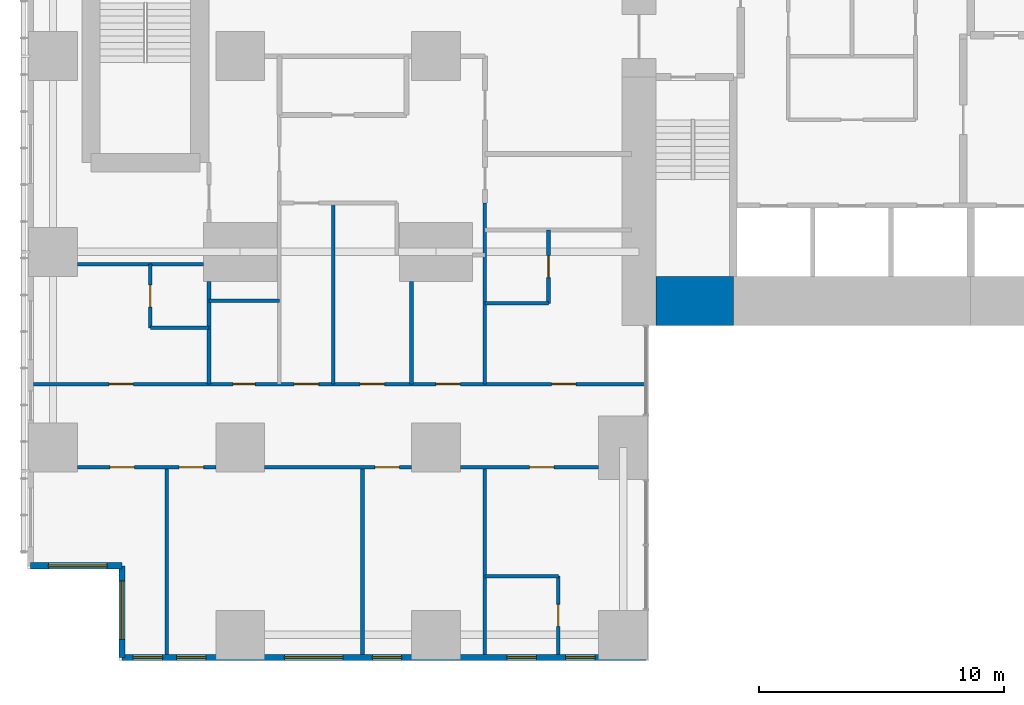
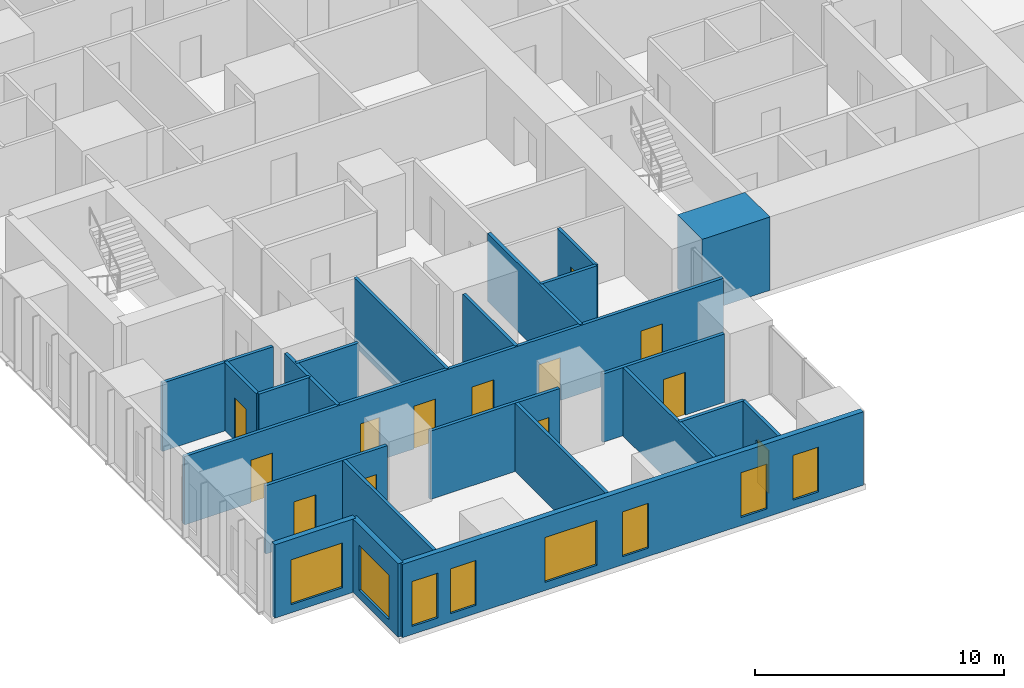
# One storey, part 12 of 20: 23 walls, 13 doors, 8 windows, 21 openings.
"""IFC4 building model written with IfcOpenShell, lengths in metres."""

from ifc_helpers import new_model, si_unit, direction, frame, frame_2d, origin, place, context, subcontext, project, spatial, rectangle, extrude, material, layer, layer_set, type_object, element, fill, save


model = new_model("IFC4")

# Units and contexts
model_context = context("Model", 3, precision=1e-05, world=origin(), true_north=direction((0.0, 1.0)))
body_context = subcontext(model_context, "Body", "Model", "MODEL_VIEW")
ifc_project = project(units=[si_unit("LENGTHUNIT", "METRE"), si_unit("AREAUNIT", "SQUARE_METRE"), si_unit("VOLUMEUNIT", "CUBIC_METRE"), si_unit("PLANEANGLEUNIT", "RADIAN"), si_unit("MASSUNIT", "GRAM", prefix="KILO")], contexts=[model_context])

# Site, building, storey
site_placement = place(None, origin())
site = spatial("IfcSite", under=ifc_project, at=site_placement, CompositionType="ELEMENT")
building_placement = place(site_placement, origin())
building = spatial("IfcBuilding", under=site, at=building_placement, Name="Cleftline Residences", CompositionType="ELEMENT")
storey_placement = place(building_placement, frame((0.0, 0.0, 164.60009765625)))
storey = spatial("IfcBuildingStorey", under=building, at=storey_placement, Name="L43", CompositionType="ELEMENT", Elevation=164.60009765625)

# Wall
ifc_material_1 = material(Name="Concrete B70", Category="concrete")
ifc_layer_1 = layer(ifc_material_1, 2.0)
ifc_layer_set_1 = layer_set([ifc_layer_1], Name="CORE WALL 2000")
wall_type_1 = type_object("IfcWallType", Name="CORE WALL 2000", PredefinedType="SHEAR", material=ifc_layer_set_1)
wall_1_placement = place(storey_placement, frame((25.0, 14.0, 0.0), z_axis=(0.0, 0.0, 1.0), x_axis=(1.0, 0.0, 0.0)))
element("IfcWall", 1, at=wall_1_placement, inside=storey, type_object=wall_type_1, Name="Core wall S1", PredefinedType="SHEAR", context=body_context, shape_type="SweptSolid", body=[
    extrude(rectangle(XDim=3.14990234375, YDim=2.0, at=frame_2d((1.574951171875, 0.0))), origin(), (0.0, 0.0, 1.0), 3.599853515625),
])

# Wall, opening, window
ifc_material_2 = material(Name="Rendered reinforced concrete blockwork", Category="masonry")
ifc_layer_2 = layer(ifc_material_2, 0.25)
ifc_layer_set_2 = layer_set([ifc_layer_2], Name="EXTERNAL WALL 250")
wall_type_2 = type_object("IfcWallType", Name="EXTERNAL WALL 250", PredefinedType="SOLIDWALL", material=ifc_layer_set_2)
wall_2_placement = place(storey_placement, frame((-0.574951171875, 3.175048828125, 0.0), z_axis=(0.0, 0.0, 1.0), x_axis=(1.0, 0.0, 0.0)))
wall_2 = element("IfcWall", 2, at=wall_2_placement, inside=storey, type_object=wall_type_2, Name="External wall", PredefinedType="SOLIDWALL", context=body_context, shape_type="SweptSolid", body=[
    extrude(rectangle(XDim=3.75, YDim=0.25, at=frame_2d((1.875, 0.0))), origin(), (0.0, 0.0, 1.0), 3.599853515625),
])
opening_1_placement = place(wall_2_placement, frame((0.737548828125, 0.0, 0.39990234375)))
opening_1 = element("IfcOpeningElement", 3, at=opening_1_placement, cuts=wall_2, Name="Opening W12", PredefinedType="OPENING", context=body_context, shape_type="SweptSolid", body=[
    extrude(rectangle(XDim=2.39990234375, YDim=2.199951171875, at=frame_2d((1.199951171875, 1.10009765625))), frame((0.0, 0.135009765625, 0.0), z_axis=(0.0, -1.0, 0.0), x_axis=(1.0, 0.0, 0.0)), (0.0, 0.0, 1.0), 0.27001953125),
])
ifc_material_3 = material(Name="Aluminium frame, clear double glazing", Category="aluminium")
window_type_1 = type_object("IfcWindowType", Name="WINDOW 2400X2200", PartitioningType="DOUBLE_PANEL_VERTICAL", PredefinedType="WINDOW", material=ifc_material_3)
window_1_placement = place(opening_1_placement, origin())
window_1 = element("IfcWindow", 4, at=window_1_placement, inside=storey, type_object=window_type_1, Name="Window", OverallHeight=2.199951171875, OverallWidth=2.39990234375, PartitioningType="SINGLE_PANEL", PredefinedType="WINDOW", context=body_context, shape_type="SweptSolid", body=[
    extrude(rectangle(XDim=2.39990234375, YDim=2.199951171875, at=frame_2d((1.199951171875, 1.10009765625))), frame((0.0, 0.030029296875, 0.0), z_axis=(0.0, -1.0, 0.0), x_axis=(1.0, 0.0, 0.0)), (0.0, 0.0, 1.0), 0.06005859375),
])
fill(opening_1, window_1)

wall_3_placement = place(storey_placement, frame((3.175048828125, 3.175048828125, 0.0), z_axis=(0.0, 0.0, 1.0), x_axis=(0.0, -1.0, 0.0)))
wall_3 = element("IfcWall", 5, at=wall_3_placement, inside=storey, type_object=wall_type_2, Name="External wall", PredefinedType="SOLIDWALL", context=body_context, shape_type="SweptSolid", body=[
    extrude(rectangle(XDim=3.75, YDim=0.25, at=frame_2d((1.875, 0.0))), origin(), (0.0, 0.0, 1.0), 3.599853515625),
])
opening_2_placement = place(wall_3_placement, frame((0.612548828125, 0.0, 0.39990234375)))
opening_2 = element("IfcOpeningElement", 6, at=opening_2_placement, cuts=wall_3, Name="Opening W12", PredefinedType="OPENING", context=body_context, shape_type="SweptSolid", body=[
    extrude(rectangle(XDim=2.39990234375, YDim=2.199951171875, at=frame_2d((1.199951171875, 1.10009765625))), frame((0.0, 0.135009765625, 0.0), z_axis=(0.0, -1.0, 0.0), x_axis=(1.0, 0.0, 0.0)), (0.0, 0.0, 1.0), 0.27001953125),
])
window_2_placement = place(opening_2_placement, origin())
window_2 = element("IfcWindow", 7, at=window_2_placement, inside=storey, type_object=window_type_1, Name="Window", OverallHeight=2.199951171875, OverallWidth=2.39990234375, PartitioningType="SINGLE_PANEL", PredefinedType="WINDOW", context=body_context, shape_type="SweptSolid", body=[
    extrude(rectangle(XDim=2.39990234375, YDim=2.199951171875, at=frame_2d((1.199951171875, 1.10009765625))), frame((0.0, 0.030029296875, 0.0), z_axis=(0.0, -1.0, 0.0), x_axis=(1.0, 0.0, 0.0)), (0.0, 0.0, 1.0), 0.06005859375),
])
fill(opening_2, window_2)

# Wall, openings, windows
wall_4_placement = place(storey_placement, frame((3.175048828125, -0.574951171875, 0.0), z_axis=(0.0, 0.0, 1.0), x_axis=(1.0, 0.0, 0.0)))
wall_4 = element("IfcWall", 8, at=wall_4_placement, inside=storey, type_object=wall_type_2, Name="External wall", PredefinedType="SOLIDWALL", context=body_context, shape_type="SweptSolid", body=[
    extrude(rectangle(XDim=21.39990234375, YDim=0.25, at=frame_2d((10.699951171875, 0.0))), origin(), (0.0, 0.0, 1.0), 3.599853515625),
])
opening_3_placement = place(wall_4_placement, frame((0.449951171875, 0.0, 0.39990234375)))
opening_3 = element("IfcOpeningElement", 9, at=opening_3_placement, cuts=wall_4, Name="Opening W11", PredefinedType="OPENING", context=body_context, shape_type="SweptSolid", body=[
    extrude(rectangle(XDim=1.199951171875, YDim=2.199951171875, at=frame_2d((0.60009765625, 1.10009765625))), frame((0.0, 0.135009765625, 0.0), z_axis=(0.0, -1.0, 0.0), x_axis=(1.0, 0.0, 0.0)), (0.0, 0.0, 1.0), 0.27001953125),
])
opening_4_placement = place(wall_4_placement, frame((2.22509765625, 0.0, 0.39990234375)))
opening_4 = element("IfcOpeningElement", 10, at=opening_4_placement, cuts=wall_4, Name="Opening W11", PredefinedType="OPENING", context=body_context, shape_type="SweptSolid", body=[
    extrude(rectangle(XDim=1.199951171875, YDim=2.199951171875, at=frame_2d((0.60009765625, 1.10009765625))), frame((0.0, 0.135009765625, 0.0), z_axis=(0.0, -1.0, 0.0), x_axis=(1.0, 0.0, 0.0)), (0.0, 0.0, 1.0), 0.27001953125),
])
opening_5_placement = place(wall_4_placement, frame((6.625, 0.0, 0.39990234375)))
opening_5 = element("IfcOpeningElement", 11, at=opening_5_placement, cuts=wall_4, Name="Opening W12", PredefinedType="OPENING", context=body_context, shape_type="SweptSolid", body=[
    extrude(rectangle(XDim=2.39990234375, YDim=2.199951171875, at=frame_2d((1.199951171875, 1.10009765625))), frame((0.0, 0.135009765625, 0.0), z_axis=(0.0, -1.0, 0.0), x_axis=(1.0, 0.0, 0.0)), (0.0, 0.0, 1.0), 0.27001953125),
])
opening_6_placement = place(wall_4_placement, frame((10.22509765625, 0.0, 0.39990234375)))
opening_6 = element("IfcOpeningElement", 12, at=opening_6_placement, cuts=wall_4, Name="Opening W11", PredefinedType="OPENING", context=body_context, shape_type="SweptSolid", body=[
    extrude(rectangle(XDim=1.199951171875, YDim=2.199951171875, at=frame_2d((0.60009765625, 1.10009765625))), frame((0.0, 0.135009765625, 0.0), z_axis=(0.0, -1.0, 0.0), x_axis=(1.0, 0.0, 0.0)), (0.0, 0.0, 1.0), 0.27001953125),
])
opening_7_placement = place(wall_4_placement, frame((15.72509765625, 0.0, 0.39990234375)))
opening_7 = element("IfcOpeningElement", 13, at=opening_7_placement, cuts=wall_4, Name="Opening W11", PredefinedType="OPENING", context=body_context, shape_type="SweptSolid", body=[
    extrude(rectangle(XDim=1.199951171875, YDim=2.199951171875, at=frame_2d((0.60009765625, 1.10009765625))), frame((0.0, 0.135009765625, 0.0), z_axis=(0.0, -1.0, 0.0), x_axis=(1.0, 0.0, 0.0)), (0.0, 0.0, 1.0), 0.27001953125),
])
opening_8_placement = place(wall_4_placement, frame((18.125, 0.0, 0.39990234375)))
opening_8 = element("IfcOpeningElement", 14, at=opening_8_placement, cuts=wall_4, Name="Opening W11", PredefinedType="OPENING", context=body_context, shape_type="SweptSolid", body=[
    extrude(rectangle(XDim=1.199951171875, YDim=2.199951171875, at=frame_2d((0.60009765625, 1.10009765625))), frame((0.0, 0.135009765625, 0.0), z_axis=(0.0, -1.0, 0.0), x_axis=(1.0, 0.0, 0.0)), (0.0, 0.0, 1.0), 0.27001953125),
])
ifc_material_4 = material(Name="Aluminium frame, clear double glazing", Category="aluminium")
window_type_2 = type_object("IfcWindowType", Name="WINDOW 1200X2200", PartitioningType="DOUBLE_PANEL_VERTICAL", PredefinedType="WINDOW", material=ifc_material_4)
window_3_placement = place(opening_3_placement, origin())
window_3 = element("IfcWindow", 15, at=window_3_placement, inside=storey, type_object=window_type_2, Name="Window", OverallHeight=2.199951171875, OverallWidth=1.199951171875, PartitioningType="SINGLE_PANEL", PredefinedType="WINDOW", context=body_context, shape_type="SweptSolid", body=[
    extrude(rectangle(XDim=1.199951171875, YDim=2.199951171875, at=frame_2d((0.60009765625, 1.10009765625))), frame((0.0, 0.030029296875, 0.0), z_axis=(0.0, -1.0, 0.0), x_axis=(1.0, 0.0, 0.0)), (0.0, 0.0, 1.0), 0.06005859375),
])
fill(opening_3, window_3)
window_4_placement = place(opening_4_placement, origin())
window_4 = element("IfcWindow", 16, at=window_4_placement, inside=storey, type_object=window_type_2, Name="Window", OverallHeight=2.199951171875, OverallWidth=1.199951171875, PartitioningType="SINGLE_PANEL", PredefinedType="WINDOW", context=body_context, shape_type="SweptSolid", body=[
    extrude(rectangle(XDim=1.199951171875, YDim=2.199951171875, at=frame_2d((0.60009765625, 1.10009765625))), frame((0.0, 0.030029296875, 0.0), z_axis=(0.0, -1.0, 0.0), x_axis=(1.0, 0.0, 0.0)), (0.0, 0.0, 1.0), 0.06005859375),
])
fill(opening_4, window_4)
window_5_placement = place(opening_6_placement, origin())
window_5 = element("IfcWindow", 17, at=window_5_placement, inside=storey, type_object=window_type_2, Name="Window", OverallHeight=2.199951171875, OverallWidth=1.199951171875, PartitioningType="SINGLE_PANEL", PredefinedType="WINDOW", context=body_context, shape_type="SweptSolid", body=[
    extrude(rectangle(XDim=1.199951171875, YDim=2.199951171875, at=frame_2d((0.60009765625, 1.10009765625))), frame((0.0, 0.030029296875, 0.0), z_axis=(0.0, -1.0, 0.0), x_axis=(1.0, 0.0, 0.0)), (0.0, 0.0, 1.0), 0.06005859375),
])
fill(opening_6, window_5)
window_6_placement = place(opening_7_placement, origin())
window_6 = element("IfcWindow", 18, at=window_6_placement, inside=storey, type_object=window_type_2, Name="Window", OverallHeight=2.199951171875, OverallWidth=1.199951171875, PartitioningType="SINGLE_PANEL", PredefinedType="WINDOW", context=body_context, shape_type="SweptSolid", body=[
    extrude(rectangle(XDim=1.199951171875, YDim=2.199951171875, at=frame_2d((0.60009765625, 1.10009765625))), frame((0.0, 0.030029296875, 0.0), z_axis=(0.0, -1.0, 0.0), x_axis=(1.0, 0.0, 0.0)), (0.0, 0.0, 1.0), 0.06005859375),
])
fill(opening_7, window_6)
window_7_placement = place(opening_8_placement, origin())
window_7 = element("IfcWindow", 19, at=window_7_placement, inside=storey, type_object=window_type_2, Name="Window", OverallHeight=2.199951171875, OverallWidth=1.199951171875, PartitioningType="SINGLE_PANEL", PredefinedType="WINDOW", context=body_context, shape_type="SweptSolid", body=[
    extrude(rectangle(XDim=1.199951171875, YDim=2.199951171875, at=frame_2d((0.60009765625, 1.10009765625))), frame((0.0, 0.030029296875, 0.0), z_axis=(0.0, -1.0, 0.0), x_axis=(1.0, 0.0, 0.0)), (0.0, 0.0, 1.0), 0.06005859375),
])
fill(opening_8, window_7)
window_8_placement = place(opening_5_placement, origin())
window_8 = element("IfcWindow", 20, at=window_8_placement, inside=storey, type_object=window_type_1, Name="Window", OverallHeight=2.199951171875, OverallWidth=2.39990234375, PartitioningType="SINGLE_PANEL", PredefinedType="WINDOW", context=body_context, shape_type="SweptSolid", body=[
    extrude(rectangle(XDim=2.39990234375, YDim=2.199951171875, at=frame_2d((1.199951171875, 1.10009765625))), frame((0.0, 0.030029296875, 0.0), z_axis=(0.0, -1.0, 0.0), x_axis=(1.0, 0.0, 0.0)), (0.0, 0.0, 1.0), 0.06005859375),
])
fill(opening_5, window_8)

# Wall
ifc_material_5 = material(Name="Gypsum board on steel studs", Category="steel")
ifc_layer_3 = layer(ifc_material_5, 0.14990234375)
ifc_layer_set_3 = layer_set([ifc_layer_3], Name="PARTITION 150")
wall_type_3 = type_object("IfcWallType", Name="PARTITION 150", PredefinedType="PARTITIONING", material=ifc_layer_set_3)
wall_5_placement = place(storey_placement, frame((18.0, 2.75, 0.0), z_axis=(0.0, 0.0, 1.0), x_axis=(1.0, 0.0, 0.0)))
element("IfcWall", 21, at=wall_5_placement, inside=storey, type_object=wall_type_3, Name="Partition", PredefinedType="PARTITIONING", context=body_context, shape_type="SweptSolid", body=[
    extrude(rectangle(XDim=3.0, YDim=0.14990234375, at=frame_2d((1.5, 0.0))), origin(), (0.0, 0.0, 1.0), 3.349853515625),
])

# Wall, openings, doors
wall_6_placement = place(storey_placement, frame((1.35009765625, 7.199951171875, 0.0), z_axis=(0.0, 0.0, 1.0), x_axis=(1.0, 0.0, 0.0)))
wall_6 = element("IfcWall", 22, at=wall_6_placement, inside=storey, type_object=wall_type_3, Name="Partition", PredefinedType="PARTITIONING", context=body_context, shape_type="SweptSolid", body=[
    extrude(rectangle(XDim=5.64990234375, YDim=0.14990234375, at=frame_2d((2.824951171875, 0.0))), origin(), (0.0, 0.0, 1.0), 3.349853515625),
])
opening_9_placement = place(wall_6_placement, frame((1.324951171875, 0.0, 0.0)))
opening_9 = element("IfcOpeningElement", 23, at=opening_9_placement, cuts=wall_6, Name="Opening D2", PredefinedType="OPENING", context=body_context, shape_type="SweptSolid", body=[
    extrude(rectangle(XDim=1.0, YDim=2.10009765625, at=frame_2d((0.5, 1.050048828125))), frame((0.0, 0.0849609375, 0.0), z_axis=(0.0, -1.0, 0.0), x_axis=(1.0, 0.0, 0.0)), (0.0, 0.0, 1.0), 0.169921875),
])
opening_10_placement = place(wall_6_placement, frame((4.14990234375, 0.0, 0.0)))
opening_10 = element("IfcOpeningElement", 24, at=opening_10_placement, cuts=wall_6, Name="Opening D2", PredefinedType="OPENING", context=body_context, shape_type="SweptSolid", body=[
    extrude(rectangle(XDim=1.0, YDim=2.10009765625, at=frame_2d((0.5, 1.050048828125))), frame((0.0, 0.0849609375, 0.0), z_axis=(0.0, -1.0, 0.0), x_axis=(1.0, 0.0, 0.0)), (0.0, 0.0, 1.0), 0.169921875),
])
ifc_material_6 = material(Name="Timber veneer on solid core", Category="wood")
door_type_1 = type_object("IfcDoorType", Name="DOOR 1000X2100", OperationType="SINGLE_SWING_LEFT", PredefinedType="DOOR", material=ifc_material_6)
door_1_placement = place(opening_9_placement, origin())
door_1 = element("IfcDoor", 25, at=door_1_placement, inside=storey, type_object=door_type_1, Name="Door to winter garden", OperationType="SINGLE_SWING_RIGHT", OverallHeight=2.10009765625, OverallWidth=1.0, PredefinedType="DOOR", context=body_context, shape_type="SweptSolid", body=[
    extrude(rectangle(XDim=1.0, YDim=2.10009765625, at=frame_2d((0.5, 1.050048828125))), frame((0.0, 0.02490234375, 0.0), z_axis=(0.0, -1.0, 0.0), x_axis=(1.0, 0.0, 0.0)), (0.0, 0.0, 1.0), 0.050048828125),
])
fill(opening_9, door_1)
door_2_placement = place(opening_10_placement, origin())
door_2 = element("IfcDoor", 26, at=door_2_placement, inside=storey, type_object=door_type_1, Name="Door to living and dining room", OperationType="SINGLE_SWING_LEFT", OverallHeight=2.10009765625, OverallWidth=1.0, PredefinedType="DOOR", context=body_context, shape_type="SweptSolid", body=[
    extrude(rectangle(XDim=1.0, YDim=2.10009765625, at=frame_2d((0.5, 1.050048828125))), frame((0.0, 0.02490234375, 0.0), z_axis=(0.0, -1.0, 0.0), x_axis=(1.0, 0.0, 0.0)), (0.0, 0.0, 1.0), 0.050048828125),
])
fill(opening_10, door_2)

# Wall, opening, door
wall_7_placement = place(storey_placement, frame((9.0, 7.199951171875, 0.0), z_axis=(0.0, 0.0, 1.0), x_axis=(1.0, 0.0, 0.0)))
wall_7 = element("IfcWall", 27, at=wall_7_placement, inside=storey, type_object=wall_type_3, Name="Partition", PredefinedType="PARTITIONING", context=body_context, shape_type="SweptSolid", body=[
    extrude(rectangle(XDim=6.0, YDim=0.14990234375, at=frame_2d((3.0, 0.0))), origin(), (0.0, 0.0, 1.0), 3.349853515625),
])
opening_11_placement = place(wall_7_placement, frame((4.5, 0.0, 0.0)))
opening_11 = element("IfcOpeningElement", 28, at=opening_11_placement, cuts=wall_7, Name="Opening D2", PredefinedType="OPENING", context=body_context, shape_type="SweptSolid", body=[
    extrude(rectangle(XDim=1.0, YDim=2.10009765625, at=frame_2d((0.5, 1.050048828125))), frame((0.0, 0.0849609375, 0.0), z_axis=(0.0, -1.0, 0.0), x_axis=(1.0, 0.0, 0.0)), (0.0, 0.0, 1.0), 0.169921875),
])
door_3_placement = place(opening_11_placement, origin())
door_3 = element("IfcDoor", 29, at=door_3_placement, inside=storey, type_object=door_type_1, Name="Door to show kitchen", OperationType="SINGLE_SWING_LEFT", OverallHeight=2.10009765625, OverallWidth=1.0, PredefinedType="DOOR", context=body_context, shape_type="SweptSolid", body=[
    extrude(rectangle(XDim=1.0, YDim=2.10009765625, at=frame_2d((0.5, 1.050048828125))), frame((0.0, 0.02490234375, 0.0), z_axis=(0.0, -1.0, 0.0), x_axis=(1.0, 0.0, 0.0)), (0.0, 0.0, 1.0), 0.050048828125),
])
fill(opening_11, door_3)

wall_8_placement = place(storey_placement, frame((17.0, 7.199951171875, 0.0), z_axis=(0.0, 0.0, 1.0), x_axis=(1.0, 0.0, 0.0)))
wall_8 = element("IfcWall", 30, at=wall_8_placement, inside=storey, type_object=wall_type_3, Name="Partition", PredefinedType="PARTITIONING", context=body_context, shape_type="SweptSolid", body=[
    extrude(rectangle(XDim=5.64990234375, YDim=0.14990234375, at=frame_2d((2.824951171875, 0.0))), origin(), (0.0, 0.0, 1.0), 3.349853515625),
])
opening_12_placement = place(wall_8_placement, frame((2.824951171875, 0.0, 0.0)))
opening_12 = element("IfcOpeningElement", 31, at=opening_12_placement, cuts=wall_8, Name="Opening D2", PredefinedType="OPENING", context=body_context, shape_type="SweptSolid", body=[
    extrude(rectangle(XDim=1.0, YDim=2.10009765625, at=frame_2d((0.5, 1.050048828125))), frame((0.0, 0.0849609375, 0.0), z_axis=(0.0, -1.0, 0.0), x_axis=(1.0, 0.0, 0.0)), (0.0, 0.0, 1.0), 0.169921875),
])
door_4_placement = place(opening_12_placement, origin())
door_4 = element("IfcDoor", 32, at=door_4_placement, inside=storey, type_object=door_type_1, Name="Door to master bedroom", OperationType="SINGLE_SWING_LEFT", OverallHeight=2.10009765625, OverallWidth=1.0, PredefinedType="DOOR", context=body_context, shape_type="SweptSolid", body=[
    extrude(rectangle(XDim=1.0, YDim=2.10009765625, at=frame_2d((0.5, 1.050048828125))), frame((0.0, 0.02490234375, 0.0), z_axis=(0.0, -1.0, 0.0), x_axis=(1.0, 0.0, 0.0)), (0.0, 0.0, 1.0), 0.050048828125),
])
fill(opening_12, door_4)

# Wall, openings, doors
wall_9_placement = place(storey_placement, frame((-0.449951171875, 10.60009765625, 0.0), z_axis=(0.0, 0.0, 1.0), x_axis=(1.0, 0.0, 0.0)))
wall_9 = element("IfcWall", 33, at=wall_9_placement, inside=storey, type_object=wall_type_3, Name="Partition", PredefinedType="PARTITIONING", context=body_context, shape_type="SweptSolid", body=[
    extrude(rectangle(XDim=25.010986328125, YDim=0.14990234375, at=frame_2d((12.50537109375, 0.0))), origin(), (0.0, 0.0, 1.0), 3.349853515625),
])
opening_13_placement = place(wall_9_placement, frame((10.64990234375, 0.0, 0.0)))
opening_13 = element("IfcOpeningElement", 34, at=opening_13_placement, cuts=wall_9, Name="Opening D2", PredefinedType="OPENING", context=body_context, shape_type="SweptSolid", body=[
    extrude(rectangle(XDim=1.0, YDim=2.10009765625, at=frame_2d((0.5, 1.050048828125))), frame((0.0, 0.0849609375, 0.0), z_axis=(0.0, -1.0, 0.0), x_axis=(1.0, 0.0, 0.0)), (0.0, 0.0, 1.0), 0.169921875),
])
opening_14_placement = place(wall_9_placement, frame((3.08740234375, 0.0, 0.0)))
opening_14 = element("IfcOpeningElement", 35, at=opening_14_placement, cuts=wall_9, Name="Opening D2", PredefinedType="OPENING", context=body_context, shape_type="SweptSolid", body=[
    extrude(rectangle(XDim=1.0, YDim=2.10009765625, at=frame_2d((0.5, 1.050048828125))), frame((0.0, 0.0849609375, 0.0), z_axis=(0.0, -1.0, 0.0), x_axis=(1.0, 0.0, 0.0)), (0.0, 0.0, 1.0), 0.169921875),
])
opening_15_placement = place(wall_9_placement, frame((8.16259765625, 0.0, 0.0)))
opening_15 = element("IfcOpeningElement", 36, at=opening_15_placement, cuts=wall_9, Name="Opening D1", PredefinedType="OPENING", context=body_context, shape_type="SweptSolid", body=[
    extrude(rectangle(XDim=0.89990234375, YDim=2.10009765625, at=frame_2d((0.449951171875, 1.050048828125))), frame((0.0, 0.0849609375, 0.0), z_axis=(0.0, -1.0, 0.0), x_axis=(1.0, 0.0, 0.0)), (0.0, 0.0, 1.0), 0.169921875),
])
opening_16_placement = place(wall_9_placement, frame((13.35009765625, 0.0, 0.0)))
opening_16 = element("IfcOpeningElement", 37, at=opening_16_placement, cuts=wall_9, Name="Opening D2", PredefinedType="OPENING", context=body_context, shape_type="SweptSolid", body=[
    extrude(rectangle(XDim=1.0, YDim=2.10009765625, at=frame_2d((0.5, 1.050048828125))), frame((0.0, 0.0849609375, 0.0), z_axis=(0.0, -1.0, 0.0), x_axis=(1.0, 0.0, 0.0)), (0.0, 0.0, 1.0), 0.169921875),
])
opening_17_placement = place(wall_9_placement, frame((16.449951171875, 0.0, 0.0)))
opening_17 = element("IfcOpeningElement", 38, at=opening_17_placement, cuts=wall_9, Name="Opening D2", PredefinedType="OPENING", context=body_context, shape_type="SweptSolid", body=[
    extrude(rectangle(XDim=1.0, YDim=2.10009765625, at=frame_2d((0.5, 1.050048828125))), frame((0.0, 0.0849609375, 0.0), z_axis=(0.0, -1.0, 0.0), x_axis=(1.0, 0.0, 0.0)), (0.0, 0.0, 1.0), 0.169921875),
])
opening_18_placement = place(wall_9_placement, frame((21.175048828125, 0.0, 0.0)))
opening_18 = element("IfcOpeningElement", 39, at=opening_18_placement, cuts=wall_9, Name="Opening D2", PredefinedType="OPENING", context=body_context, shape_type="SweptSolid", body=[
    extrude(rectangle(XDim=1.0, YDim=2.10009765625, at=frame_2d((0.5, 1.050048828125))), frame((0.0, 0.0849609375, 0.0), z_axis=(0.0, -1.0, 0.0), x_axis=(1.0, 0.0, 0.0)), (0.0, 0.0, 1.0), 0.169921875),
])
door_5_placement = place(opening_13_placement, origin())
door_5 = element("IfcDoor", 40, at=door_5_placement, inside=storey, type_object=door_type_1, Name="Door to residence hall", OperationType="SINGLE_SWING_RIGHT", OverallHeight=2.10009765625, OverallWidth=1.0, PredefinedType="DOOR", context=body_context, shape_type="SweptSolid", body=[
    extrude(rectangle(XDim=1.0, YDim=2.10009765625, at=frame_2d((0.5, 1.050048828125))), frame((0.0, 0.02490234375, 0.0), z_axis=(0.0, -1.0, 0.0), x_axis=(1.0, 0.0, 0.0)), (0.0, 0.0, 1.0), 0.050048828125),
])
fill(opening_13, door_5)
door_6_placement = place(opening_14_placement, origin())
door_6 = element("IfcDoor", 41, at=door_6_placement, inside=storey, type_object=door_type_1, Name="Door to bedroom 2", OperationType="SINGLE_SWING_RIGHT", OverallHeight=2.10009765625, OverallWidth=1.0, PredefinedType="DOOR", context=body_context, shape_type="SweptSolid", body=[
    extrude(rectangle(XDim=1.0, YDim=2.10009765625, at=frame_2d((0.5, 1.050048828125))), frame((0.0, 0.02490234375, 0.0), z_axis=(0.0, -1.0, 0.0), x_axis=(1.0, 0.0, 0.0)), (0.0, 0.0, 1.0), 0.050048828125),
])
fill(opening_14, door_6)
door_7_placement = place(opening_16_placement, origin())
door_7 = element("IfcDoor", 42, at=door_7_placement, inside=storey, type_object=door_type_1, Name="Door to family room", OperationType="SINGLE_SWING_LEFT", OverallHeight=2.10009765625, OverallWidth=1.0, PredefinedType="DOOR", context=body_context, shape_type="SweptSolid", body=[
    extrude(rectangle(XDim=1.0, YDim=2.10009765625, at=frame_2d((0.5, 1.050048828125))), frame((0.0, 0.02490234375, 0.0), z_axis=(0.0, -1.0, 0.0), x_axis=(1.0, 0.0, 0.0)), (0.0, 0.0, 1.0), 0.050048828125),
])
fill(opening_16, door_7)
door_8_placement = place(opening_17_placement, origin())
door_8 = element("IfcDoor", 43, at=door_8_placement, inside=storey, type_object=door_type_1, Name="Door to wet kitchen", OperationType="SINGLE_SWING_LEFT", OverallHeight=2.10009765625, OverallWidth=1.0, PredefinedType="DOOR", context=body_context, shape_type="SweptSolid", body=[
    extrude(rectangle(XDim=1.0, YDim=2.10009765625, at=frame_2d((0.5, 1.050048828125))), frame((0.0, 0.02490234375, 0.0), z_axis=(0.0, -1.0, 0.0), x_axis=(1.0, 0.0, 0.0)), (0.0, 0.0, 1.0), 0.050048828125),
])
fill(opening_17, door_8)
door_9_placement = place(opening_18_placement, origin())
door_9 = element("IfcDoor", 44, at=door_9_placement, inside=storey, type_object=door_type_1, Name="Door to bedroom 3", OperationType="SINGLE_SWING_LEFT", OverallHeight=2.10009765625, OverallWidth=1.0, PredefinedType="DOOR", context=body_context, shape_type="SweptSolid", body=[
    extrude(rectangle(XDim=1.0, YDim=2.10009765625, at=frame_2d((0.5, 1.050048828125))), frame((0.0, 0.02490234375, 0.0), z_axis=(0.0, -1.0, 0.0), x_axis=(1.0, 0.0, 0.0)), (0.0, 0.0, 1.0), 0.050048828125),
])
fill(opening_18, door_9)
ifc_material_7 = material(Name="Timber veneer on solid core", Category="wood")
door_type_2 = type_object("IfcDoorType", Name="DOOR 900X2100", OperationType="SINGLE_SWING_LEFT", PredefinedType="DOOR", material=ifc_material_7)
door_10_placement = place(opening_15_placement, origin())
door_10 = element("IfcDoor", 45, at=door_10_placement, inside=storey, type_object=door_type_2, Name="Door to linen store", OperationType="SINGLE_SWING_RIGHT", OverallHeight=2.10009765625, OverallWidth=0.89990234375, PredefinedType="DOOR", context=body_context, shape_type="SweptSolid", body=[
    extrude(rectangle(XDim=0.89990234375, YDim=2.10009765625, at=frame_2d((0.449951171875, 1.050048828125))), frame((0.0, 0.02490234375, 0.0), z_axis=(0.0, -1.0, 0.0), x_axis=(1.0, 0.0, 0.0)), (0.0, 0.0, 1.0), 0.050048828125),
])
fill(opening_15, door_10)

# Walls
wall_10_placement = place(storey_placement, frame((4.324951171875, 12.89990234375, 0.0), z_axis=(0.0, 0.0, 1.0), x_axis=(1.0, 0.0, 0.0)))
element("IfcWall", 46, at=wall_10_placement, inside=storey, type_object=wall_type_3, Name="Partition", PredefinedType="PARTITIONING", context=body_context, shape_type="SweptSolid", body=[
    extrude(rectangle(XDim=2.400146484375, YDim=0.14990234375, at=frame_2d((1.2001953125, 0.0))), origin(), (0.0, 0.0, 1.0), 3.349853515625),
])
wall_11_placement = place(storey_placement, frame((18.0, 13.89990234375, 0.0), z_axis=(0.0, 0.0, 1.0), x_axis=(1.0, 0.0, 0.0)))
element("IfcWall", 47, at=wall_11_placement, inside=storey, type_object=wall_type_3, Name="Partition", PredefinedType="PARTITIONING", context=body_context, shape_type="SweptSolid", body=[
    extrude(rectangle(XDim=2.60009765625, YDim=0.14990234375, at=frame_2d((1.300048828125, 0.0))), origin(), (0.0, 0.0, 1.0), 3.349853515625),
])
wall_12_placement = place(storey_placement, frame((6.72509765625, 14.0, 0.0), z_axis=(0.0, 0.0, 1.0), x_axis=(1.0, 0.0, 0.0)))
element("IfcWall", 48, at=wall_12_placement, inside=storey, type_object=wall_type_3, Name="Partition", PredefinedType="PARTITIONING", context=body_context, shape_type="SweptSolid", body=[
    extrude(rectangle(XDim=2.875, YDim=0.14990234375, at=frame_2d((1.4375, 0.0))), origin(), (0.0, 0.0, 1.0), 3.349853515625),
])
wall_13_placement = place(storey_placement, frame((1.35009765625, 15.5, 0.0), z_axis=(0.0, 0.0, 1.0), x_axis=(1.0, 0.0, 0.0)))
element("IfcWall", 49, at=wall_13_placement, inside=storey, type_object=wall_type_3, Name="Partition", PredefinedType="PARTITIONING", context=body_context, shape_type="SweptSolid", body=[
    extrude(rectangle(XDim=5.14990234375, YDim=0.14990234375, at=frame_2d((2.574951171875, 0.0))), origin(), (0.0, 0.0, 1.0), 3.349853515625),
])

# Wall, opening, door
wall_14_placement = place(storey_placement, frame((4.324951171875, 12.89990234375, 0.0), z_axis=(0.0, 0.0, 1.0), x_axis=(0.0, 1.0, 0.0)))
wall_14 = element("IfcWall", 50, at=wall_14_placement, inside=storey, type_object=wall_type_3, Name="Partition", PredefinedType="PARTITIONING", context=body_context, shape_type="SweptSolid", body=[
    extrude(rectangle(XDim=2.60009765625, YDim=0.14990234375, at=frame_2d((1.300048828125, 0.0))), origin(), (0.0, 0.0, 1.0), 3.349853515625),
])
opening_19_placement = place(wall_14_placement, frame((0.85009765625, 0.0, 0.0)))
opening_19 = element("IfcOpeningElement", 51, at=opening_19_placement, cuts=wall_14, Name="Opening D1", PredefinedType="OPENING", context=body_context, shape_type="SweptSolid", body=[
    extrude(rectangle(XDim=0.89990234375, YDim=2.10009765625, at=frame_2d((0.449951171875, 1.050048828125))), frame((0.0, 0.0849609375, 0.0), z_axis=(0.0, -1.0, 0.0), x_axis=(1.0, 0.0, 0.0)), (0.0, 0.0, 1.0), 0.169921875),
])
door_11_placement = place(opening_19_placement, origin())
door_11 = element("IfcDoor", 52, at=door_11_placement, inside=storey, type_object=door_type_2, Name="Door to en-suite bathroom 2", OperationType="SINGLE_SWING_LEFT", OverallHeight=2.10009765625, OverallWidth=0.89990234375, PredefinedType="DOOR", context=body_context, shape_type="SweptSolid", body=[
    extrude(rectangle(XDim=0.89990234375, YDim=2.10009765625, at=frame_2d((0.449951171875, 1.050048828125))), frame((0.0, 0.02490234375, 0.0), z_axis=(0.0, -1.0, 0.0), x_axis=(1.0, 0.0, 0.0)), (0.0, 0.0, 1.0), 0.050048828125),
])
fill(opening_19, door_11)

# Walls
wall_15_placement = place(storey_placement, frame((5.0, -0.449951171875, 0.0), z_axis=(0.0, 0.0, 1.0), x_axis=(0.0, 1.0, 0.0)))
element("IfcWall", 53, at=wall_15_placement, inside=storey, type_object=wall_type_3, Name="Partition", PredefinedType="PARTITIONING", context=body_context, shape_type="SweptSolid", body=[
    extrude(rectangle(XDim=7.64990234375, YDim=0.14990234375, at=frame_2d((3.824951171875, 0.0))), origin(), (0.0, 0.0, 1.0), 3.349853515625),
])
wall_16_placement = place(storey_placement, frame((6.72509765625, 10.60009765625, 0.0), z_axis=(0.0, 0.0, 1.0), x_axis=(0.0, 1.0, 0.0)))
element("IfcWall", 54, at=wall_16_placement, inside=storey, type_object=wall_type_3, Name="Partition", PredefinedType="PARTITIONING", context=body_context, shape_type="SweptSolid", body=[
    extrude(rectangle(XDim=4.199951171875, YDim=0.14990234375, at=frame_2d((2.10009765625, 0.0))), origin(), (0.0, 0.0, 1.0), 3.349853515625),
])
wall_17_placement = place(storey_placement, frame((11.800048828125, 10.60009765625, 0.0), z_axis=(0.0, 0.0, 1.0), x_axis=(0.0, 1.0, 0.0)))
element("IfcWall", 55, at=wall_17_placement, inside=storey, type_object=wall_type_3, Name="Partition", PredefinedType="PARTITIONING", context=body_context, shape_type="SweptSolid", body=[
    extrude(rectangle(XDim=7.39990234375, YDim=0.14990234375, at=frame_2d((3.699951171875, 0.0))), origin(), (0.0, 0.0, 1.0), 3.349853515625),
])
wall_18_placement = place(storey_placement, frame((13.0, -0.449951171875, 0.0), z_axis=(0.0, 0.0, 1.0), x_axis=(0.0, 1.0, 0.0)))
element("IfcWall", 56, at=wall_18_placement, inside=storey, type_object=wall_type_3, Name="Partition", PredefinedType="PARTITIONING", context=body_context, shape_type="SweptSolid", body=[
    extrude(rectangle(XDim=7.64990234375, YDim=0.14990234375, at=frame_2d((3.824951171875, 0.0))), origin(), (0.0, 0.0, 1.0), 3.349853515625),
])
wall_19_placement = place(storey_placement, frame((15.0, 10.60009765625, 0.0), z_axis=(0.0, 0.0, 1.0), x_axis=(0.0, 1.0, 0.0)))
element("IfcWall", 57, at=wall_19_placement, inside=storey, type_object=wall_type_3, Name="Partition", PredefinedType="PARTITIONING", context=body_context, shape_type="SweptSolid", body=[
    extrude(rectangle(XDim=4.199951171875, YDim=0.14990234375, at=frame_2d((2.10009765625, 0.0))), origin(), (0.0, 0.0, 1.0), 3.349853515625),
])
wall_20_placement = place(storey_placement, frame((18.0, -0.449951171875, 0.0), z_axis=(0.0, 0.0, 1.0), x_axis=(0.0, 1.0, 0.0)))
element("IfcWall", 58, at=wall_20_placement, inside=storey, type_object=wall_type_3, Name="Partition", PredefinedType="PARTITIONING", context=body_context, shape_type="SweptSolid", body=[
    extrude(rectangle(XDim=7.64990234375, YDim=0.14990234375, at=frame_2d((3.824951171875, 0.0))), origin(), (0.0, 0.0, 1.0), 3.349853515625),
])
wall_21_placement = place(storey_placement, frame((18.0, 10.60009765625, 0.0), z_axis=(0.0, 0.0, 1.0), x_axis=(0.0, 1.0, 0.0)))
element("IfcWall", 59, at=wall_21_placement, inside=storey, type_object=wall_type_3, Name="Partition", PredefinedType="PARTITIONING", context=body_context, shape_type="SweptSolid", body=[
    extrude(rectangle(XDim=7.39990234375, YDim=0.14990234375, at=frame_2d((3.699951171875, 0.0))), origin(), (0.0, 0.0, 1.0), 3.349853515625),
])

# Wall, opening, door
wall_22_placement = place(storey_placement, frame((20.60009765625, 13.89990234375, 0.0), z_axis=(0.0, 0.0, 1.0), x_axis=(0.0, 1.0, 0.0)))
wall_22 = element("IfcWall", 60, at=wall_22_placement, inside=storey, type_object=wall_type_3, Name="Partition", PredefinedType="PARTITIONING", context=body_context, shape_type="SweptSolid", body=[
    extrude(rectangle(XDim=3.0, YDim=0.14990234375, at=frame_2d((1.5, 0.0))), origin(), (0.0, 0.0, 1.0), 3.349853515625),
])
opening_20_placement = place(wall_22_placement, frame((1.050048828125, 0.0, 0.0)))
opening_20 = element("IfcOpeningElement", 61, at=opening_20_placement, cuts=wall_22, Name="Opening D1", PredefinedType="OPENING", context=body_context, shape_type="SweptSolid", body=[
    extrude(rectangle(XDim=0.89990234375, YDim=2.10009765625, at=frame_2d((0.449951171875, 1.050048828125))), frame((0.0, 0.0849609375, 0.0), z_axis=(0.0, -1.0, 0.0), x_axis=(1.0, 0.0, 0.0)), (0.0, 0.0, 1.0), 0.169921875),
])
door_12_placement = place(opening_20_placement, origin())
door_12 = element("IfcDoor", 62, at=door_12_placement, inside=storey, type_object=door_type_2, Name="Door to en-suite bathroom 3", OperationType="SINGLE_SWING_LEFT", OverallHeight=2.10009765625, OverallWidth=0.89990234375, PredefinedType="DOOR", context=body_context, shape_type="SweptSolid", body=[
    extrude(rectangle(XDim=0.89990234375, YDim=2.10009765625, at=frame_2d((0.449951171875, 1.050048828125))), frame((0.0, 0.02490234375, 0.0), z_axis=(0.0, -1.0, 0.0), x_axis=(1.0, 0.0, 0.0)), (0.0, 0.0, 1.0), 0.050048828125),
])
fill(opening_20, door_12)

wall_23_placement = place(storey_placement, frame((21.0, -0.449951171875, 0.0), z_axis=(0.0, 0.0, 1.0), x_axis=(0.0, 1.0, 0.0)))
wall_23 = element("IfcWall", 63, at=wall_23_placement, inside=storey, type_object=wall_type_3, Name="Partition", PredefinedType="PARTITIONING", context=body_context, shape_type="SweptSolid", body=[
    extrude(rectangle(XDim=3.199951171875, YDim=0.14990234375, at=frame_2d((1.60009765625, 0.0))), origin(), (0.0, 0.0, 1.0), 3.349853515625),
])
opening_21_placement = place(wall_23_placement, frame((1.14990234375, 0.0, 0.0)))
opening_21 = element("IfcOpeningElement", 64, at=opening_21_placement, cuts=wall_23, Name="Opening D1", PredefinedType="OPENING", context=body_context, shape_type="SweptSolid", body=[
    extrude(rectangle(XDim=0.89990234375, YDim=2.10009765625, at=frame_2d((0.449951171875, 1.050048828125))), frame((0.0, 0.0849609375, 0.0), z_axis=(0.0, -1.0, 0.0), x_axis=(1.0, 0.0, 0.0)), (0.0, 0.0, 1.0), 0.169921875),
])
door_13_placement = place(opening_21_placement, origin())
door_13 = element("IfcDoor", 65, at=door_13_placement, inside=storey, type_object=door_type_2, Name="Door to master bathroom", OperationType="SINGLE_SWING_LEFT", OverallHeight=2.10009765625, OverallWidth=0.89990234375, PredefinedType="DOOR", context=body_context, shape_type="SweptSolid", body=[
    extrude(rectangle(XDim=0.89990234375, YDim=2.10009765625, at=frame_2d((0.449951171875, 1.050048828125))), frame((0.0, 0.02490234375, 0.0), z_axis=(0.0, -1.0, 0.0), x_axis=(1.0, 0.0, 0.0)), (0.0, 0.0, 1.0), 0.050048828125),
])
fill(opening_21, door_13)

save(model, "model.ifc")
